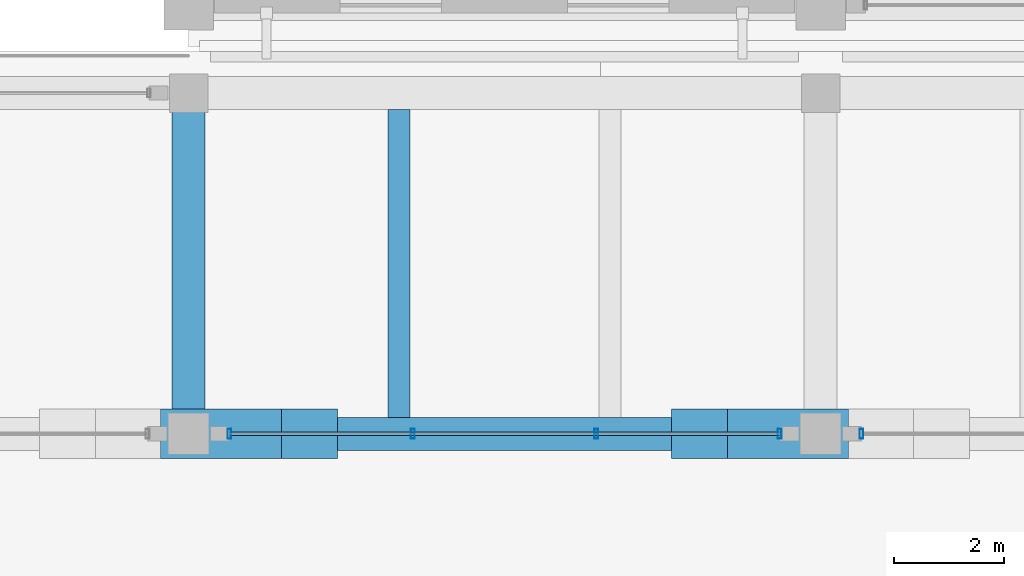
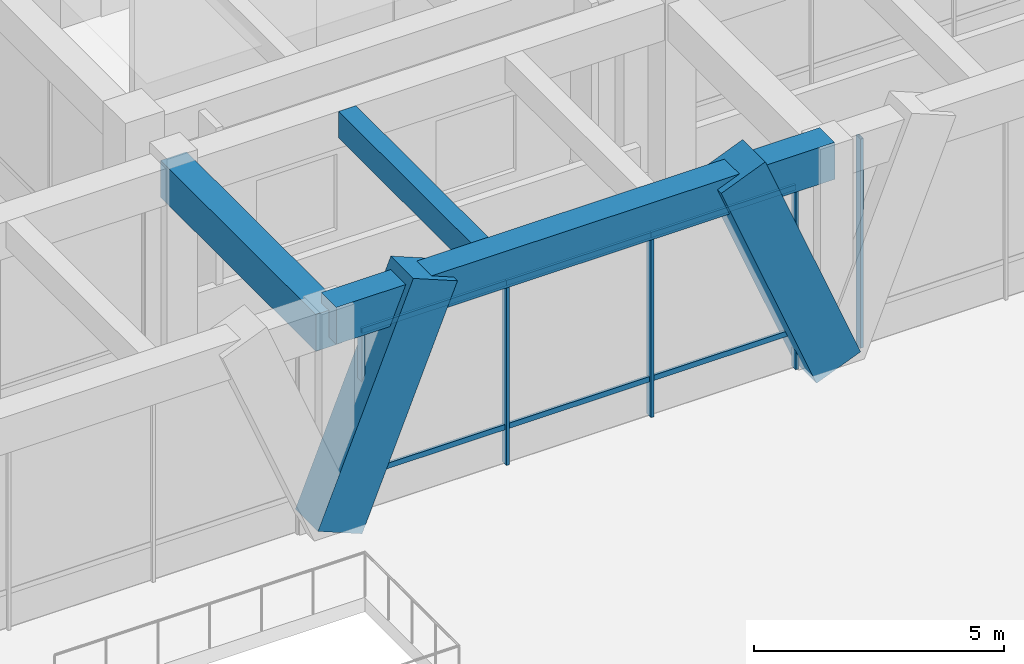
# One storey, part 73 of 148: 13 members, 3 beams, 2 elements without a shape of their own.
"""IFC4 building model written with IfcOpenShell, lengths in metres."""

from ifc_helpers import new_model, si_unit, direction, frame, origin, origin_2d, place, context, subcontext, project, spatial, rectangle, hollow_rectangle, extrude, material, material_profile, profile_set, type_object, element, aggregate, save


model = new_model("IFC4")

# Units and contexts
model_context = context("Model", 3, precision=1e-05, world=origin(), true_north=direction((0.0, 1.0)))
body_context = subcontext(model_context, "Body", "Model", "MODEL_VIEW")
ifc_project = project(units=[si_unit("LENGTHUNIT", "METRE"), si_unit("AREAUNIT", "SQUARE_METRE"), si_unit("VOLUMEUNIT", "CUBIC_METRE"), si_unit("PLANEANGLEUNIT", "RADIAN"), si_unit("MASSUNIT", "GRAM", prefix="KILO")], contexts=[model_context])

# Site, building, storey
site_placement = place(None, origin())
site = spatial("IfcSite", under=ifc_project, at=site_placement, CompositionType="ELEMENT")
building_placement = place(site_placement, origin())
building = spatial("IfcBuilding", under=site, at=building_placement, Name="Ologun Quay Terminus", CompositionType="ELEMENT")
storey_placement = place(building_placement, frame((0.0, 0.0, 8.39990234375)))
storey = spatial("IfcBuildingStorey", under=building, at=storey_placement, Name="L02", CompositionType="ELEMENT", Elevation=8.39990234375)

# Curtain wall, members
ifc_material_1 = material(Name="Aluminium 6063-T6", Category="aluminium")
curtain_wall_type = type_object("IfcCurtainWallType", Name="Train Shed North Clerestory Curtain Wall 10700x4850", PredefinedType="USERDEFINED", material=ifc_material_1)
curtain_wall_1_placement = place(storey_placement, origin())
curtain_wall_1 = element("IfcCurtainWall", 1, at=curtain_wall_1_placement, inside=storey, type_object=curtain_wall_type, Name="CW-09 Curtain Wall CW-L02-065", ObjectType="UNITISED CURTAIN WALL", PredefinedType="USERDEFINED")
ifc_material_2 = material(Name="Aluminium 6063-T6", Category="aluminium")
ifc_material_profile_1 = material_profile(ifc_material_2, hollow_rectangle(XDim=0.070068359375, YDim=0.179931640625, WallThickness=0.0048828125, at=origin_2d()), Name="ALU 180x70x5")
ifc_profile_set_1 = profile_set([ifc_material_profile_1], Name="Aluminium 6063-T6")
member_type_1 = type_object("IfcMemberType", Name="Concourse Clerestory Mullion 180x70", PredefinedType="MULLION", material=ifc_profile_set_1)
member_1_placement = place(storey_placement, frame((115.7451171875, 78.0, 0.0), z_axis=(0.0, 0.0, 1.0), x_axis=(1.0, 0.0, 0.0)))
member_1 = element("IfcMember", 2, at=member_1_placement, type_object=member_type_1, Name="CW-L02-065 Mullion 1", PredefinedType="MULLION", context=body_context, shape_type="SweptSolid", body=[
    extrude(hollow_rectangle(XDim=0.070068359375, YDim=0.179931640625, WallThickness=0.0048828125, at=origin_2d()), origin(), (0.0, 0.0, 1.0), 5.10009765625),
])
member_2_placement = place(storey_placement, frame((119.081787109375, 78.0, 0.0), z_axis=(0.0, 0.0, 1.0), x_axis=(1.0, 0.0, 0.0)))
member_2 = element("IfcMember", 3, at=member_2_placement, type_object=member_type_1, Name="CW-L02-065 Mullion 2", PredefinedType="MULLION", context=body_context, shape_type="SweptSolid", body=[
    extrude(hollow_rectangle(XDim=0.070068359375, YDim=0.179931640625, WallThickness=0.0048828125, at=origin_2d()), origin(), (0.0, 0.0, 1.0), 5.10009765625),
])
member_3_placement = place(storey_placement, frame((122.418212890625, 78.0, 0.0), z_axis=(0.0, 0.0, 1.0), x_axis=(1.0, 0.0, 0.0)))
member_3 = element("IfcMember", 4, at=member_3_placement, type_object=member_type_1, Name="CW-L02-065 Mullion 3", PredefinedType="MULLION", context=body_context, shape_type="SweptSolid", body=[
    extrude(hollow_rectangle(XDim=0.070068359375, YDim=0.179931640625, WallThickness=0.0048828125, at=origin_2d()), origin(), (0.0, 0.0, 1.0), 5.10009765625),
])
member_4_placement = place(storey_placement, frame((125.7548828125, 78.0, 0.0), z_axis=(0.0, 0.0, 1.0), x_axis=(1.0, 0.0, 0.0)))
member_4 = element("IfcMember", 5, at=member_4_placement, type_object=member_type_1, Name="CW-L02-065 Mullion 4", PredefinedType="MULLION", context=body_context, shape_type="SweptSolid", body=[
    extrude(hollow_rectangle(XDim=0.070068359375, YDim=0.179931640625, WallThickness=0.0048828125, at=origin_2d()), origin(), (0.0, 0.0, 1.0), 5.10009765625),
])

# Curtain wall, member
curtain_wall_2_placement = place(storey_placement, origin())
curtain_wall_2 = element("IfcCurtainWall", 6, at=curtain_wall_2_placement, inside=storey, type_object=curtain_wall_type, Name="CW-09 Curtain Wall CW-L02-067", ObjectType="UNITISED CURTAIN WALL", PredefinedType="USERDEFINED")
member_5_placement = place(storey_placement, frame((127.2451171875, 78.0, 0.0), z_axis=(0.0, 0.0, 1.0), x_axis=(1.0, 0.0, 0.0)))
member_5 = element("IfcMember", 7, at=member_5_placement, type_object=member_type_1, Name="CW-L02-067 Mullion 1", PredefinedType="MULLION", context=body_context, shape_type="SweptSolid", body=[
    extrude(hollow_rectangle(XDim=0.070068359375, YDim=0.179931640625, WallThickness=0.0048828125, at=origin_2d()), origin(), (0.0, 0.0, 1.0), 5.10009765625),
])
aggregate(curtain_wall_2, [member_5])

# Member
ifc_material_3 = material(Name="Aluminium 6063-T6", Category="aluminium")
ifc_material_profile_2 = material_profile(ifc_material_3, hollow_rectangle(XDim=0.06005859375, YDim=0.1298828125, WallThickness=0.00390625, at=origin_2d()), Name="ALU 130x60x4")
ifc_profile_set_2 = profile_set([ifc_material_profile_2], Name="Aluminium 6063-T6")
member_type_2 = type_object("IfcMemberType", Name="Concourse Clerestory Transom 130x60", PredefinedType="USERDEFINED", material=ifc_profile_set_2)
member_6_placement = place(storey_placement, frame((115.7451171875, 78.0, 0.900146484375), z_axis=(1.0, 0.0, 0.0), x_axis=(0.0, 1.0, 0.0)))
member_6 = element("IfcMember", 8, at=member_6_placement, type_object=member_type_2, Name="CW-L02-065 Transom B1-1", ObjectType="TRANSOM", PredefinedType="USERDEFINED", context=body_context, shape_type="SweptSolid", body=[
    extrude(hollow_rectangle(XDim=0.06005859375, YDim=0.1298828125, WallThickness=0.00390625, at=origin_2d()), origin(), (0.0, 0.0, 1.0), 3.336669921875),
])

member_7_placement = place(storey_placement, frame((115.7451171875, 78.0, 4.400146484375), z_axis=(1.0, 0.0, 0.0), x_axis=(0.0, 1.0, 0.0)))
member_7 = element("IfcMember", 9, at=member_7_placement, type_object=member_type_2, Name="CW-L02-065 Transom B1-2", ObjectType="TRANSOM", PredefinedType="USERDEFINED", context=body_context, shape_type="SweptSolid", body=[
    extrude(hollow_rectangle(XDim=0.06005859375, YDim=0.1298828125, WallThickness=0.00390625, at=origin_2d()), origin(), (0.0, 0.0, 1.0), 3.336669921875),
])

member_8_placement = place(storey_placement, frame((119.081787109375, 78.0, 0.900146484375), z_axis=(1.0, 0.0, 0.0), x_axis=(0.0, 1.0, 0.0)))
member_8 = element("IfcMember", 10, at=member_8_placement, type_object=member_type_2, Name="CW-L02-065 Transom B2-1", ObjectType="TRANSOM", PredefinedType="USERDEFINED", context=body_context, shape_type="SweptSolid", body=[
    extrude(hollow_rectangle(XDim=0.06005859375, YDim=0.1298828125, WallThickness=0.00390625, at=origin_2d()), origin(), (0.0, 0.0, 1.0), 3.33642578125),
])

member_9_placement = place(storey_placement, frame((119.081787109375, 78.0, 4.400146484375), z_axis=(1.0, 0.0, 0.0), x_axis=(0.0, 1.0, 0.0)))
member_9 = element("IfcMember", 11, at=member_9_placement, type_object=member_type_2, Name="CW-L02-065 Transom B2-2", ObjectType="TRANSOM", PredefinedType="USERDEFINED", context=body_context, shape_type="SweptSolid", body=[
    extrude(hollow_rectangle(XDim=0.06005859375, YDim=0.1298828125, WallThickness=0.00390625, at=origin_2d()), origin(), (0.0, 0.0, 1.0), 3.33642578125),
])

member_10_placement = place(storey_placement, frame((122.418212890625, 78.0, 0.900146484375), z_axis=(1.0, 0.0, 0.0), x_axis=(0.0, 1.0, 0.0)))
member_10 = element("IfcMember", 12, at=member_10_placement, type_object=member_type_2, Name="CW-L02-065 Transom B3-1", ObjectType="TRANSOM", PredefinedType="USERDEFINED", context=body_context, shape_type="SweptSolid", body=[
    extrude(hollow_rectangle(XDim=0.06005859375, YDim=0.1298828125, WallThickness=0.00390625, at=origin_2d()), origin(), (0.0, 0.0, 1.0), 3.336669921875),
])

member_11_placement = place(storey_placement, frame((122.418212890625, 78.0, 4.400146484375), z_axis=(1.0, 0.0, 0.0), x_axis=(0.0, 1.0, 0.0)))
member_11 = element("IfcMember", 13, at=member_11_placement, type_object=member_type_2, Name="CW-L02-065 Transom B3-2", ObjectType="TRANSOM", PredefinedType="USERDEFINED", context=body_context, shape_type="SweptSolid", body=[
    extrude(hollow_rectangle(XDim=0.06005859375, YDim=0.1298828125, WallThickness=0.00390625, at=origin_2d()), origin(), (0.0, 0.0, 1.0), 3.336669921875),
])

aggregate(curtain_wall_1, [member_1, member_2, member_3, member_4, member_6, member_7, member_8, member_9, member_10, member_11])

# Members
ifc_material_4 = material(Name="Concrete C45/55", Category="concrete")
ifc_material_profile_3 = material_profile(ifc_material_4, rectangle(XDim=0.89990234375, YDim=1.10009765625, at=origin_2d()), Name="RC 900x1100")
ifc_profile_set_3 = profile_set([ifc_material_profile_3], Name="Concrete C45/55")
member_type_3 = type_object("IfcMemberType", Name="Sculpted Concrete Arch V-Buttress Strut 900x1100", PredefinedType="STRUT", material=ifc_profile_set_3)
for number, where, z_axis, x_axis, name in (
    (14, (115.0, 78.0, 0.0), (0.377280927807, 0.0, 0.926098861631), (0.0, 1.0, 0.0), "VS1 Arch V-Buttress East Limb 11/F"),
    (15, (126.5, 78.0, 0.0), (-0.377280927807, 0.0, 0.926098861631), (0.0, -1.0, 0.0), "VS1 Arch V-Buttress West Limb 12/F"),
):
    element("IfcMember", number, at=place(storey_placement, frame(where, z_axis=z_axis, x_axis=x_axis)), inside=storey, type_object=member_type_3, Name=name, PredefinedType="STRUT", context=body_context, shape_type="SweptSolid", body=[
        extrude(rectangle(XDim=0.89990234375, YDim=1.10009765625, at=origin_2d()), origin(), (0.0, 0.0, 1.0), 5.8310546875),
    ])

# Beams
ifc_material_5 = material(Name="Concrete C40/50", Category="concrete")
ifc_material_profile_4 = material_profile(ifc_material_5, rectangle(XDim=0.60009765625, YDim=0.89990234375, at=origin_2d()), Name="RC 600x900")
ifc_profile_set_4 = profile_set([ifc_material_profile_4], Name="Concrete C40/50")
beam_type_1 = type_object("IfcBeamType", Name="Station Frame Girder 600x900", PredefinedType="BEAM", material=ifc_profile_set_4)
beam_1_placement = place(storey_placement, frame((115.0, 78.0, 4.9501953125), z_axis=(1.0, 0.0, 0.0), x_axis=(0.0, 1.0, 0.0)))
element("IfcBeam", 16, at=beam_1_placement, inside=storey, type_object=beam_type_1, Name="B3 Beam 11/F L02", PredefinedType="BEAM", context=body_context, shape_type="SweptSolid", body=[
    extrude(rectangle(XDim=0.60009765625, YDim=0.89990234375, at=origin_2d()), origin(), (0.0, 0.0, 1.0), 11.5),
])
beam_2_placement = place(storey_placement, frame((115.0, 78.0, 4.7001953125), z_axis=(0.0, 1.0, 0.0), x_axis=(-1.0, 0.0, 0.0)))
element("IfcBeam", 17, at=beam_2_placement, inside=storey, type_object=beam_type_1, Name="B3 Beam 11/F L02", PredefinedType="BEAM", context=body_context, shape_type="SweptSolid", body=[
    extrude(rectangle(XDim=0.60009765625, YDim=0.89990234375, at=origin_2d()), origin(), (0.0, 0.0, 1.0), 6.199951171875),
])
ifc_material_6 = material(Name="Concrete C40/50", Category="concrete")
ifc_material_profile_5 = material_profile(ifc_material_6, rectangle(XDim=0.39990234375, YDim=0.64990234375, at=origin_2d()), Name="RC 400x650")
ifc_profile_set_5 = profile_set([ifc_material_profile_5], Name="Concrete C40/50")
beam_type_2 = type_object("IfcBeamType", Name="Station Secondary Joist 400x650", PredefinedType="JOIST", material=ifc_profile_set_5)
beam_3_placement = place(storey_placement, frame((118.833251953125, 78.300048828125, 4.8251953125), z_axis=(0.0, 1.0, 0.0), x_axis=(-1.0, 0.0, 0.0)))
element("IfcBeam", 18, at=beam_3_placement, inside=storey, type_object=beam_type_2, Name="J1 Beam 11/F L02", PredefinedType="JOIST", context=body_context, shape_type="SweptSolid", body=[
    extrude(rectangle(XDim=0.39990234375, YDim=0.64990234375, at=origin_2d()), origin(), (0.0, 0.0, 1.0), 5.599853515625),
])

save(model, "model.ifc")
